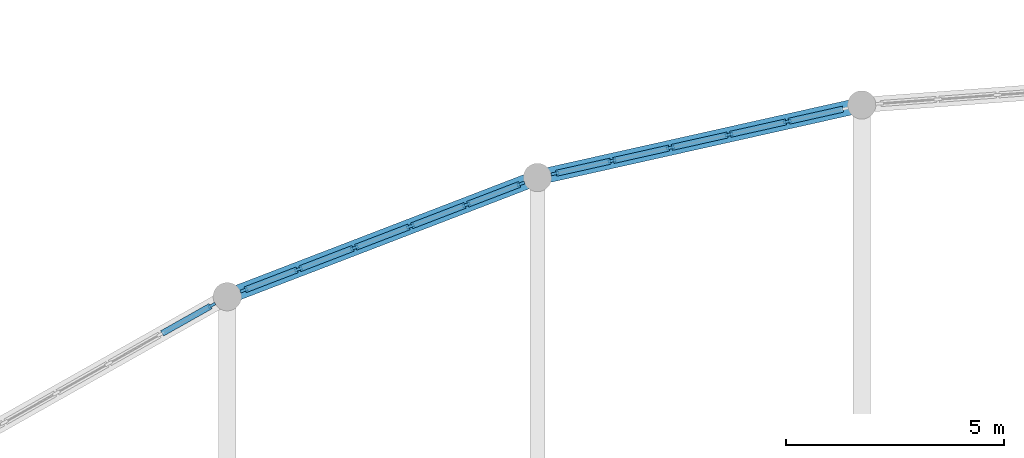
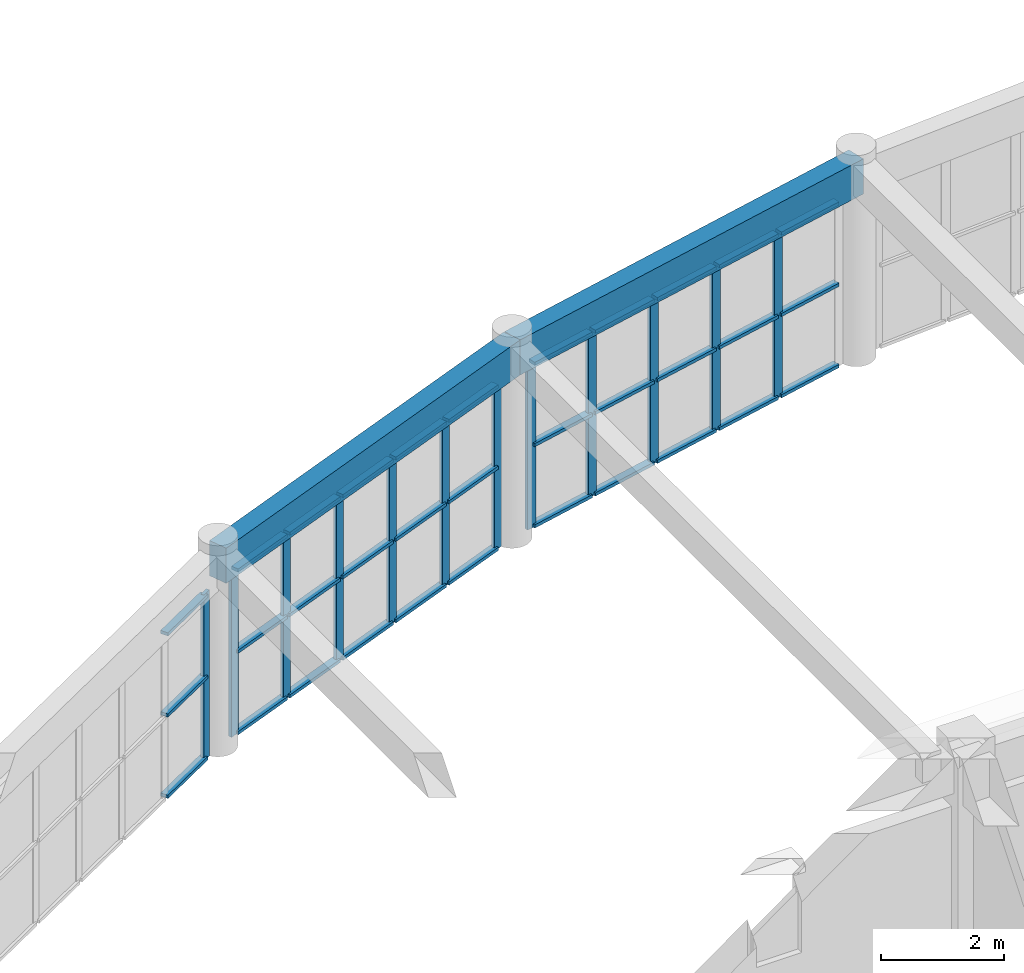
# One storey, part 18 of 76: 45 members, 2 beams, 3 elements without a shape of their own.
"""IFC4 building model written with IfcOpenShell, lengths in metres."""

from ifc_helpers import new_model, si_unit, direction, frame, origin, origin_2d, place, context, subcontext, project, spatial, rectangle, extrude, material, material_profile, profile_set, type_object, element, aggregate, save


model = new_model("IFC4")

# Units and contexts
model_context = context("Model", 3, precision=1e-05, world=origin(), true_north=direction((0.0, 1.0)))
body_context = subcontext(model_context, "Body", "Model", "MODEL_VIEW")
ifc_project = project(units=[si_unit("LENGTHUNIT", "METRE"), si_unit("AREAUNIT", "SQUARE_METRE"), si_unit("VOLUMEUNIT", "CUBIC_METRE"), si_unit("PLANEANGLEUNIT", "RADIAN"), si_unit("MASSUNIT", "GRAM", prefix="KILO")], contexts=[model_context])

# Site, building, storey
site_placement = place(None, origin())
site = spatial("IfcSite", under=ifc_project, at=site_placement, CompositionType="ELEMENT")
building_placement = place(site_placement, origin())
building = spatial("IfcBuilding", under=site, at=building_placement, Name="Mithqara Police Headquarters", CompositionType="ELEMENT")
storey_placement = place(building_placement, frame((0.0, 0.0, 5.39990234375)))
storey = spatial("IfcBuildingStorey", under=building, at=storey_placement, Name="L01", CompositionType="ELEMENT", Elevation=5.39990234375)

# Curtain wall, member
ifc_material_1 = material(Name="Bronze anodised aluminium 6063-T6", Category="aluminium")
curtain_wall_type = type_object("IfcCurtainWallType", Name="CURTAIN WALL 6875X3300", PredefinedType="USERDEFINED", material=ifc_material_1)
curtain_wall_1_placement = place(storey_placement, origin())
curtain_wall_1 = element("IfcCurtainWall", 1, at=curtain_wall_1_placement, inside=storey, type_object=curtain_wall_type, Name="L01 Unitised Glazing CW-12 (CW-ARC-L01-00-0)", ObjectType="UNITISED GLAZING", PredefinedType="USERDEFINED")
ifc_material_profile_1 = material_profile(ifc_material_1, rectangle(XDim=0.06494140625, YDim=0.179931640625, at=origin_2d()), Name="CWM 65x180")
ifc_profile_set_1 = profile_set([ifc_material_profile_1], Name="Bronze anodised aluminium 6063-T6")
member_type_1 = type_object("IfcMemberType", Name="CWMULLION 65X180", PredefinedType="MULLION", material=ifc_profile_set_1)
member_1_placement = place(storey_placement, frame((50.085693359375, 96.545654296875, 0.0), z_axis=(0.0, 0.0, 1.0), x_axis=(-0.491307888255, 0.870985969427, 0.0)))
member_1 = element("IfcMember", 2, at=member_1_placement, type_object=member_type_1, Name="CW-12 mullion 6", PredefinedType="MULLION", context=body_context, shape_type="SweptSolid", body=[
    extrude(rectangle(XDim=0.06494140625, YDim=0.179931640625, at=origin_2d()), origin(), (0.0, 0.0, 1.0), 3.300048828125),
])

# Curtain wall, members
curtain_wall_2_placement = place(storey_placement, origin())
curtain_wall_2 = element("IfcCurtainWall", 3, at=curtain_wall_2_placement, inside=storey, type_object=curtain_wall_type, Name="L01 Unitised Glazing CW-12 (CW-ARC-L01-01-0)", ObjectType="UNITISED GLAZING", PredefinedType="USERDEFINED")
member_2_placement = place(storey_placement, frame((50.8203125, 96.891845703125, 0.0), z_axis=(0.0, 0.0, 1.0), x_axis=(-0.358680788402, 0.933460278765, 0.0)))
member_2 = element("IfcMember", 4, at=member_2_placement, type_object=member_type_1, Name="CW-12 mullion 1", PredefinedType="MULLION", context=body_context, shape_type="SweptSolid", body=[
    extrude(rectangle(XDim=0.06494140625, YDim=0.179931640625, at=origin_2d()), origin(), (0.0, 0.0, 1.0), 3.300048828125),
])
member_3_placement = place(storey_placement, frame((52.0732421875, 97.373291015625, 0.0), z_axis=(0.0, 0.0, 1.0), x_axis=(-0.358680788402, 0.933460278765, 0.0)))
member_3 = element("IfcMember", 5, at=member_3_placement, type_object=member_type_1, Name="CW-12 mullion 2", PredefinedType="MULLION", context=body_context, shape_type="SweptSolid", body=[
    extrude(rectangle(XDim=0.06494140625, YDim=0.179931640625, at=origin_2d()), origin(), (0.0, 0.0, 1.0), 3.300048828125),
])
member_4_placement = place(storey_placement, frame((53.356689453125, 97.866455078125, 0.0), z_axis=(0.0, 0.0, 1.0), x_axis=(-0.358680788402, 0.933460278765, 0.0)))
member_4 = element("IfcMember", 6, at=member_4_placement, type_object=member_type_1, Name="CW-12 mullion 3", PredefinedType="MULLION", context=body_context, shape_type="SweptSolid", body=[
    extrude(rectangle(XDim=0.06494140625, YDim=0.179931640625, at=origin_2d()), origin(), (0.0, 0.0, 1.0), 3.300048828125),
])
member_5_placement = place(storey_placement, frame((54.64013671875, 98.359619140625, 0.0), z_axis=(0.0, 0.0, 1.0), x_axis=(-0.358680788402, 0.933460278765, 0.0)))
member_5 = element("IfcMember", 7, at=member_5_placement, type_object=member_type_1, Name="CW-12 mullion 4", PredefinedType="MULLION", context=body_context, shape_type="SweptSolid", body=[
    extrude(rectangle(XDim=0.06494140625, YDim=0.179931640625, at=origin_2d()), origin(), (0.0, 0.0, 1.0), 3.300048828125),
])
member_6_placement = place(storey_placement, frame((55.923583984375, 98.852783203125, 0.0), z_axis=(0.0, 0.0, 1.0), x_axis=(-0.358680788402, 0.933460278765, 0.0)))
member_6 = element("IfcMember", 8, at=member_6_placement, type_object=member_type_1, Name="CW-12 mullion 5", PredefinedType="MULLION", context=body_context, shape_type="SweptSolid", body=[
    extrude(rectangle(XDim=0.06494140625, YDim=0.179931640625, at=origin_2d()), origin(), (0.0, 0.0, 1.0), 3.300048828125),
])
member_7_placement = place(storey_placement, frame((57.1767578125, 99.334228515625, 0.0), z_axis=(0.0, 0.0, 1.0), x_axis=(-0.358680788402, 0.933460278765, 0.0)))
member_7 = element("IfcMember", 9, at=member_7_placement, type_object=member_type_1, Name="CW-12 mullion 6", PredefinedType="MULLION", context=body_context, shape_type="SweptSolid", body=[
    extrude(rectangle(XDim=0.06494140625, YDim=0.179931640625, at=origin_2d()), origin(), (0.0, 0.0, 1.0), 3.300048828125),
])

curtain_wall_3_placement = place(storey_placement, origin())
curtain_wall_3 = element("IfcCurtainWall", 10, at=curtain_wall_3_placement, inside=storey, type_object=curtain_wall_type, Name="L01 Unitised Glazing CW-12 (CW-ARC-L01-02-0)", ObjectType="UNITISED GLAZING", PredefinedType="USERDEFINED")
member_8_placement = place(storey_placement, frame((57.9541015625, 99.569091796875, 0.0), z_axis=(0.0, 0.0, 1.0), x_axis=(-0.218341058316, 0.975872523567, 0.0)))
member_8 = element("IfcMember", 11, at=member_8_placement, type_object=member_type_1, Name="CW-12 mullion 1", PredefinedType="MULLION", context=body_context, shape_type="SweptSolid", body=[
    extrude(rectangle(XDim=0.06494140625, YDim=0.179931640625, at=origin_2d()), origin(), (0.0, 0.0, 1.0), 3.300048828125),
])
member_9_placement = place(storey_placement, frame((59.26416015625, 99.8623046875, 0.0), z_axis=(0.0, 0.0, 1.0), x_axis=(-0.218341058316, 0.975872523567, 0.0)))
member_9 = element("IfcMember", 12, at=member_9_placement, type_object=member_type_1, Name="CW-12 mullion 2", PredefinedType="MULLION", context=body_context, shape_type="SweptSolid", body=[
    extrude(rectangle(XDim=0.06494140625, YDim=0.179931640625, at=origin_2d()), origin(), (0.0, 0.0, 1.0), 3.300048828125),
])
member_10_placement = place(storey_placement, frame((60.60595703125, 100.16259765625, 0.0), z_axis=(0.0, 0.0, 1.0), x_axis=(-0.218341058316, 0.975872523567, 0.0)))
member_10 = element("IfcMember", 13, at=member_10_placement, type_object=member_type_1, Name="CW-12 mullion 3", PredefinedType="MULLION", context=body_context, shape_type="SweptSolid", body=[
    extrude(rectangle(XDim=0.06494140625, YDim=0.179931640625, at=origin_2d()), origin(), (0.0, 0.0, 1.0), 3.300048828125),
])
member_11_placement = place(storey_placement, frame((61.947509765625, 100.462646484375, 0.0), z_axis=(0.0, 0.0, 1.0), x_axis=(-0.218341058316, 0.975872523567, 0.0)))
member_11 = element("IfcMember", 14, at=member_11_placement, type_object=member_type_1, Name="CW-12 mullion 4", PredefinedType="MULLION", context=body_context, shape_type="SweptSolid", body=[
    extrude(rectangle(XDim=0.06494140625, YDim=0.179931640625, at=origin_2d()), origin(), (0.0, 0.0, 1.0), 3.300048828125),
])
member_12_placement = place(storey_placement, frame((63.289306640625, 100.762939453125, 0.0), z_axis=(0.0, 0.0, 1.0), x_axis=(-0.218341058316, 0.975872523567, 0.0)))
member_12 = element("IfcMember", 15, at=member_12_placement, type_object=member_type_1, Name="CW-12 mullion 5", PredefinedType="MULLION", context=body_context, shape_type="SweptSolid", body=[
    extrude(rectangle(XDim=0.06494140625, YDim=0.179931640625, at=origin_2d()), origin(), (0.0, 0.0, 1.0), 3.300048828125),
])

# Member
ifc_material_profile_2 = material_profile(ifc_material_1, rectangle(XDim=0.139892578125, YDim=0.06494140625, at=origin_2d()), Name="CWT 140x65")
ifc_profile_set_2 = profile_set([ifc_material_profile_2], Name="Bronze anodised aluminium 6063-T6")
member_type_2 = type_object("IfcMemberType", Name="CWTRANSOM 140X65", PredefinedType="USERDEFINED", material=ifc_profile_set_2)
member_13_placement = place(storey_placement, frame((48.944580078125, 95.902099609375, 0.03271484375), z_axis=(0.870993144674, 0.491295167827, 0.0), x_axis=(-0.491295167827, 0.870993144674, 0.0)))
member_13 = element("IfcMember", 16, at=member_13_placement, type_object=member_type_2, Name="CW-12 transom 5.1", ObjectType="TRANSOM", PredefinedType="USERDEFINED", context=body_context, shape_type="SweptSolid", body=[
    extrude(rectangle(XDim=0.139892578125, YDim=0.06494140625, at=origin_2d()), origin(), (0.0, 0.0, 1.0), 1.277587890625),
])

member_14_placement = place(storey_placement, frame((48.944580078125, 95.902099609375, 1.650146484375), z_axis=(0.870993144674, 0.491295167827, 0.0), x_axis=(-0.491295167827, 0.870993144674, 0.0)))
member_14 = element("IfcMember", 17, at=member_14_placement, type_object=member_type_2, Name="CW-12 transom 5.2", ObjectType="TRANSOM", PredefinedType="USERDEFINED", context=body_context, shape_type="SweptSolid", body=[
    extrude(rectangle(XDim=0.139892578125, YDim=0.06494140625, at=origin_2d()), origin(), (0.0, 0.0, 1.0), 1.277587890625),
])

member_15_placement = place(storey_placement, frame((48.944580078125, 95.902099609375, 3.267578125), z_axis=(0.870993144674, 0.491295167827, 0.0), x_axis=(-0.491295167827, 0.870993144674, 0.0)))
member_15 = element("IfcMember", 18, at=member_15_placement, type_object=member_type_2, Name="CW-12 transom 5.3", ObjectType="TRANSOM", PredefinedType="USERDEFINED", context=body_context, shape_type="SweptSolid", body=[
    extrude(rectangle(XDim=0.139892578125, YDim=0.06494140625, at=origin_2d()), origin(), (0.0, 0.0, 1.0), 1.277587890625),
])

aggregate(curtain_wall_1, [member_1, member_13, member_14, member_15])

member_16_placement = place(storey_placement, frame((50.8505859375, 96.9033203125, 0.03271484375), z_axis=(0.933439165084, 0.358735731544, 0.0), x_axis=(-0.358735731544, 0.933439165084, 0.0)))
member_16 = element("IfcMember", 19, at=member_16_placement, type_object=member_type_2, Name="CW-12 transom 1.1", ObjectType="TRANSOM", PredefinedType="USERDEFINED", context=body_context, shape_type="SweptSolid", body=[
    extrude(rectangle(XDim=0.139892578125, YDim=0.06494140625, at=origin_2d()), origin(), (0.0, 0.0, 1.0), 1.27734375),
])

member_17_placement = place(storey_placement, frame((50.8505859375, 96.9033203125, 1.650146484375), z_axis=(0.933439165084, 0.358735731544, 0.0), x_axis=(-0.358735731544, 0.933439165084, 0.0)))
member_17 = element("IfcMember", 20, at=member_17_placement, type_object=member_type_2, Name="CW-12 transom 1.2", ObjectType="TRANSOM", PredefinedType="USERDEFINED", context=body_context, shape_type="SweptSolid", body=[
    extrude(rectangle(XDim=0.139892578125, YDim=0.06494140625, at=origin_2d()), origin(), (0.0, 0.0, 1.0), 1.27734375),
])

member_18_placement = place(storey_placement, frame((50.8505859375, 96.9033203125, 3.267578125), z_axis=(0.933439165084, 0.358735731544, 0.0), x_axis=(-0.358735731544, 0.933439165084, 0.0)))
member_18 = element("IfcMember", 21, at=member_18_placement, type_object=member_type_2, Name="CW-12 transom 1.3", ObjectType="TRANSOM", PredefinedType="USERDEFINED", context=body_context, shape_type="SweptSolid", body=[
    extrude(rectangle(XDim=0.139892578125, YDim=0.06494140625, at=origin_2d()), origin(), (0.0, 0.0, 1.0), 1.27734375),
])

member_19_placement = place(storey_placement, frame((52.103759765625, 97.385009765625, 0.03271484375), z_axis=(0.933480054536, 0.358629318076, 0.0), x_axis=(-0.358629318076, 0.933480054536, 0.0)))
member_19 = element("IfcMember", 22, at=member_19_placement, type_object=member_type_2, Name="CW-12 transom 2.1", ObjectType="TRANSOM", PredefinedType="USERDEFINED", context=body_context, shape_type="SweptSolid", body=[
    extrude(rectangle(XDim=0.139892578125, YDim=0.06494140625, at=origin_2d()), origin(), (0.0, 0.0, 1.0), 1.309814453125),
])

member_20_placement = place(storey_placement, frame((52.103759765625, 97.385009765625, 1.650146484375), z_axis=(0.933480054536, 0.358629318076, 0.0), x_axis=(-0.358629318076, 0.933480054536, 0.0)))
member_20 = element("IfcMember", 23, at=member_20_placement, type_object=member_type_2, Name="CW-12 transom 2.2", ObjectType="TRANSOM", PredefinedType="USERDEFINED", context=body_context, shape_type="SweptSolid", body=[
    extrude(rectangle(XDim=0.139892578125, YDim=0.06494140625, at=origin_2d()), origin(), (0.0, 0.0, 1.0), 1.309814453125),
])

member_21_placement = place(storey_placement, frame((52.103759765625, 97.385009765625, 3.267578125), z_axis=(0.933480054536, 0.358629318076, 0.0), x_axis=(-0.358629318076, 0.933480054536, 0.0)))
member_21 = element("IfcMember", 24, at=member_21_placement, type_object=member_type_2, Name="CW-12 transom 2.3", ObjectType="TRANSOM", PredefinedType="USERDEFINED", context=body_context, shape_type="SweptSolid", body=[
    extrude(rectangle(XDim=0.139892578125, YDim=0.06494140625, at=origin_2d()), origin(), (0.0, 0.0, 1.0), 1.309814453125),
])

member_22_placement = place(storey_placement, frame((53.38720703125, 97.878173828125, 0.03271484375), z_axis=(0.933480054536, 0.358629318076, 0.0), x_axis=(-0.358629318076, 0.933480054536, 0.0)))
member_22 = element("IfcMember", 25, at=member_22_placement, type_object=member_type_2, Name="CW-12 transom 3.1", ObjectType="TRANSOM", PredefinedType="USERDEFINED", context=body_context, shape_type="SweptSolid", body=[
    extrude(rectangle(XDim=0.139892578125, YDim=0.06494140625, at=origin_2d()), origin(), (0.0, 0.0, 1.0), 1.309814453125),
])

member_23_placement = place(storey_placement, frame((53.38720703125, 97.878173828125, 1.650146484375), z_axis=(0.933480054536, 0.358629318076, 0.0), x_axis=(-0.358629318076, 0.933480054536, 0.0)))
member_23 = element("IfcMember", 26, at=member_23_placement, type_object=member_type_2, Name="CW-12 transom 3.2", ObjectType="TRANSOM", PredefinedType="USERDEFINED", context=body_context, shape_type="SweptSolid", body=[
    extrude(rectangle(XDim=0.139892578125, YDim=0.06494140625, at=origin_2d()), origin(), (0.0, 0.0, 1.0), 1.309814453125),
])

member_24_placement = place(storey_placement, frame((53.38720703125, 97.878173828125, 3.267578125), z_axis=(0.933480054536, 0.358629318076, 0.0), x_axis=(-0.358629318076, 0.933480054536, 0.0)))
member_24 = element("IfcMember", 27, at=member_24_placement, type_object=member_type_2, Name="CW-12 transom 3.3", ObjectType="TRANSOM", PredefinedType="USERDEFINED", context=body_context, shape_type="SweptSolid", body=[
    extrude(rectangle(XDim=0.139892578125, YDim=0.06494140625, at=origin_2d()), origin(), (0.0, 0.0, 1.0), 1.309814453125),
])

member_25_placement = place(storey_placement, frame((54.670654296875, 98.371337890625, 0.03271484375), z_axis=(0.933480054536, 0.358629318076, 0.0), x_axis=(-0.358629318076, 0.933480054536, 0.0)))
member_25 = element("IfcMember", 28, at=member_25_placement, type_object=member_type_2, Name="CW-12 transom 4.1", ObjectType="TRANSOM", PredefinedType="USERDEFINED", context=body_context, shape_type="SweptSolid", body=[
    extrude(rectangle(XDim=0.139892578125, YDim=0.06494140625, at=origin_2d()), origin(), (0.0, 0.0, 1.0), 1.309814453125),
])

member_26_placement = place(storey_placement, frame((54.670654296875, 98.371337890625, 1.650146484375), z_axis=(0.933480054536, 0.358629318076, 0.0), x_axis=(-0.358629318076, 0.933480054536, 0.0)))
member_26 = element("IfcMember", 29, at=member_26_placement, type_object=member_type_2, Name="CW-12 transom 4.2", ObjectType="TRANSOM", PredefinedType="USERDEFINED", context=body_context, shape_type="SweptSolid", body=[
    extrude(rectangle(XDim=0.139892578125, YDim=0.06494140625, at=origin_2d()), origin(), (0.0, 0.0, 1.0), 1.309814453125),
])

member_27_placement = place(storey_placement, frame((54.670654296875, 98.371337890625, 3.267578125), z_axis=(0.933480054536, 0.358629318076, 0.0), x_axis=(-0.358629318076, 0.933480054536, 0.0)))
member_27 = element("IfcMember", 30, at=member_27_placement, type_object=member_type_2, Name="CW-12 transom 4.3", ObjectType="TRANSOM", PredefinedType="USERDEFINED", context=body_context, shape_type="SweptSolid", body=[
    extrude(rectangle(XDim=0.139892578125, YDim=0.06494140625, at=origin_2d()), origin(), (0.0, 0.0, 1.0), 1.309814453125),
])

member_28_placement = place(storey_placement, frame((55.9541015625, 98.864501953125, 0.03271484375), z_axis=(0.933503153296, 0.358569188285, 0.0), x_axis=(-0.358569188285, 0.933503153296, 0.0)))
member_28 = element("IfcMember", 31, at=member_28_placement, type_object=member_type_2, Name="CW-12 transom 5.1", ObjectType="TRANSOM", PredefinedType="USERDEFINED", context=body_context, shape_type="SweptSolid", body=[
    extrude(rectangle(XDim=0.139892578125, YDim=0.06494140625, at=origin_2d()), origin(), (0.0, 0.0, 1.0), 1.27734375),
])

member_29_placement = place(storey_placement, frame((55.9541015625, 98.864501953125, 1.650146484375), z_axis=(0.933503153296, 0.358569188285, 0.0), x_axis=(-0.358569188285, 0.933503153296, 0.0)))
member_29 = element("IfcMember", 32, at=member_29_placement, type_object=member_type_2, Name="CW-12 transom 5.2", ObjectType="TRANSOM", PredefinedType="USERDEFINED", context=body_context, shape_type="SweptSolid", body=[
    extrude(rectangle(XDim=0.139892578125, YDim=0.06494140625, at=origin_2d()), origin(), (0.0, 0.0, 1.0), 1.27734375),
])

member_30_placement = place(storey_placement, frame((55.9541015625, 98.864501953125, 3.267578125), z_axis=(0.933503153296, 0.358569188285, 0.0), x_axis=(-0.358569188285, 0.933503153296, 0.0)))
member_30 = element("IfcMember", 33, at=member_30_placement, type_object=member_type_2, Name="CW-12 transom 5.3", ObjectType="TRANSOM", PredefinedType="USERDEFINED", context=body_context, shape_type="SweptSolid", body=[
    extrude(rectangle(XDim=0.139892578125, YDim=0.06494140625, at=origin_2d()), origin(), (0.0, 0.0, 1.0), 1.27734375),
])

aggregate(curtain_wall_2, [member_2, member_3, member_4, member_5, member_6, member_7, member_16, member_17, member_18, member_19, member_20, member_21, member_22, member_23, member_24, member_25, member_26, member_27, member_28, member_29, member_30])

member_31_placement = place(storey_placement, frame((57.98583984375, 99.576171875, 0.03271484375), z_axis=(0.975848613284, 0.218447897568, 0.0), x_axis=(-0.218447897568, 0.975848613284, 0.0)))
member_31 = element("IfcMember", 34, at=member_31_placement, type_object=member_type_2, Name="CW-12 transom 1.1", ObjectType="TRANSOM", PredefinedType="USERDEFINED", context=body_context, shape_type="SweptSolid", body=[
    extrude(rectangle(XDim=0.139892578125, YDim=0.06494140625, at=origin_2d()), origin(), (0.0, 0.0, 1.0), 1.27734375),
])

member_32_placement = place(storey_placement, frame((57.98583984375, 99.576171875, 1.650146484375), z_axis=(0.975848613284, 0.218447897568, 0.0), x_axis=(-0.218447897568, 0.975848613284, 0.0)))
member_32 = element("IfcMember", 35, at=member_32_placement, type_object=member_type_2, Name="CW-12 transom 1.2", ObjectType="TRANSOM", PredefinedType="USERDEFINED", context=body_context, shape_type="SweptSolid", body=[
    extrude(rectangle(XDim=0.139892578125, YDim=0.06494140625, at=origin_2d()), origin(), (0.0, 0.0, 1.0), 1.27734375),
])

member_33_placement = place(storey_placement, frame((57.98583984375, 99.576171875, 3.267578125), z_axis=(0.975848613284, 0.218447897568, 0.0), x_axis=(-0.218447897568, 0.975848613284, 0.0)))
member_33 = element("IfcMember", 36, at=member_33_placement, type_object=member_type_2, Name="CW-12 transom 1.3", ObjectType="TRANSOM", PredefinedType="USERDEFINED", context=body_context, shape_type="SweptSolid", body=[
    extrude(rectangle(XDim=0.139892578125, YDim=0.06494140625, at=origin_2d()), origin(), (0.0, 0.0, 1.0), 1.27734375),
])

member_34_placement = place(storey_placement, frame((59.2958984375, 99.869384765625, 0.03271484375), z_axis=(0.975852628103, 0.218429961829, 0.0), x_axis=(-0.218429961829, 0.975852628103, 0.0)))
member_34 = element("IfcMember", 37, at=member_34_placement, type_object=member_type_2, Name="CW-12 transom 2.1", ObjectType="TRANSOM", PredefinedType="USERDEFINED", context=body_context, shape_type="SweptSolid", body=[
    extrude(rectangle(XDim=0.139892578125, YDim=0.06494140625, at=origin_2d()), origin(), (0.0, 0.0, 1.0), 1.31005859375),
])

member_35_placement = place(storey_placement, frame((59.2958984375, 99.869384765625, 1.650146484375), z_axis=(0.975852628103, 0.218429961829, 0.0), x_axis=(-0.218429961829, 0.975852628103, 0.0)))
member_35 = element("IfcMember", 38, at=member_35_placement, type_object=member_type_2, Name="CW-12 transom 2.2", ObjectType="TRANSOM", PredefinedType="USERDEFINED", context=body_context, shape_type="SweptSolid", body=[
    extrude(rectangle(XDim=0.139892578125, YDim=0.06494140625, at=origin_2d()), origin(), (0.0, 0.0, 1.0), 1.31005859375),
])

member_36_placement = place(storey_placement, frame((59.2958984375, 99.869384765625, 3.267578125), z_axis=(0.975852628103, 0.218429961829, 0.0), x_axis=(-0.218429961829, 0.975852628103, 0.0)))
member_36 = element("IfcMember", 39, at=member_36_placement, type_object=member_type_2, Name="CW-12 transom 2.3", ObjectType="TRANSOM", PredefinedType="USERDEFINED", context=body_context, shape_type="SweptSolid", body=[
    extrude(rectangle(XDim=0.139892578125, YDim=0.06494140625, at=origin_2d()), origin(), (0.0, 0.0, 1.0), 1.31005859375),
])

member_37_placement = place(storey_placement, frame((60.6376953125, 100.169677734375, 0.03271484375), z_axis=(0.975892340146, 0.218252469502, 0.0), x_axis=(-0.218252469502, 0.975892340146, 0.0)))
member_37 = element("IfcMember", 40, at=member_37_placement, type_object=member_type_2, Name="CW-12 transom 3.1", ObjectType="TRANSOM", PredefinedType="USERDEFINED", context=body_context, shape_type="SweptSolid", body=[
    extrude(rectangle(XDim=0.139892578125, YDim=0.06494140625, at=origin_2d()), origin(), (0.0, 0.0, 1.0), 1.309814453125),
])

member_38_placement = place(storey_placement, frame((60.6376953125, 100.169677734375, 1.650146484375), z_axis=(0.975892340146, 0.218252469502, 0.0), x_axis=(-0.218252469502, 0.975892340146, 0.0)))
member_38 = element("IfcMember", 41, at=member_38_placement, type_object=member_type_2, Name="CW-12 transom 3.2", ObjectType="TRANSOM", PredefinedType="USERDEFINED", context=body_context, shape_type="SweptSolid", body=[
    extrude(rectangle(XDim=0.139892578125, YDim=0.06494140625, at=origin_2d()), origin(), (0.0, 0.0, 1.0), 1.309814453125),
])

member_39_placement = place(storey_placement, frame((60.6376953125, 100.169677734375, 3.267578125), z_axis=(0.975892340146, 0.218252469502, 0.0), x_axis=(-0.218252469502, 0.975892340146, 0.0)))
member_39 = element("IfcMember", 42, at=member_39_placement, type_object=member_type_2, Name="CW-12 transom 3.3", ObjectType="TRANSOM", PredefinedType="USERDEFINED", context=body_context, shape_type="SweptSolid", body=[
    extrude(rectangle(XDim=0.139892578125, YDim=0.06494140625, at=origin_2d()), origin(), (0.0, 0.0, 1.0), 1.309814453125),
])

member_40_placement = place(storey_placement, frame((61.979248046875, 100.4697265625, 0.03271484375), z_axis=(0.975852628103, 0.218429961829, 0.0), x_axis=(-0.218429961829, 0.975852628103, 0.0)))
member_40 = element("IfcMember", 43, at=member_40_placement, type_object=member_type_2, Name="CW-12 transom 4.1", ObjectType="TRANSOM", PredefinedType="USERDEFINED", context=body_context, shape_type="SweptSolid", body=[
    extrude(rectangle(XDim=0.139892578125, YDim=0.06494140625, at=origin_2d()), origin(), (0.0, 0.0, 1.0), 1.31005859375),
])

member_41_placement = place(storey_placement, frame((61.979248046875, 100.4697265625, 1.650146484375), z_axis=(0.975852628103, 0.218429961829, 0.0), x_axis=(-0.218429961829, 0.975852628103, 0.0)))
member_41 = element("IfcMember", 44, at=member_41_placement, type_object=member_type_2, Name="CW-12 transom 4.2", ObjectType="TRANSOM", PredefinedType="USERDEFINED", context=body_context, shape_type="SweptSolid", body=[
    extrude(rectangle(XDim=0.139892578125, YDim=0.06494140625, at=origin_2d()), origin(), (0.0, 0.0, 1.0), 1.31005859375),
])

member_42_placement = place(storey_placement, frame((61.979248046875, 100.4697265625, 3.267578125), z_axis=(0.975852628103, 0.218429961829, 0.0), x_axis=(-0.218429961829, 0.975852628103, 0.0)))
member_42 = element("IfcMember", 45, at=member_42_placement, type_object=member_type_2, Name="CW-12 transom 4.3", ObjectType="TRANSOM", PredefinedType="USERDEFINED", context=body_context, shape_type="SweptSolid", body=[
    extrude(rectangle(XDim=0.139892578125, YDim=0.06494140625, at=origin_2d()), origin(), (0.0, 0.0, 1.0), 1.31005859375),
])

member_43_placement = place(storey_placement, frame((63.321044921875, 100.77001953125, 0.03271484375), z_axis=(0.975889339037, 0.218265888206, 0.0), x_axis=(-0.218265888206, 0.975889339037, 0.0)))
member_43 = element("IfcMember", 46, at=member_43_placement, type_object=member_type_2, Name="CW-12 transom 5.1", ObjectType="TRANSOM", PredefinedType="USERDEFINED", context=body_context, shape_type="SweptSolid", body=[
    extrude(rectangle(XDim=0.139892578125, YDim=0.06494140625, at=origin_2d()), origin(), (0.0, 0.0, 1.0), 1.27734375),
])

member_44_placement = place(storey_placement, frame((63.321044921875, 100.77001953125, 1.650146484375), z_axis=(0.975889339037, 0.218265888206, 0.0), x_axis=(-0.218265888206, 0.975889339037, 0.0)))
member_44 = element("IfcMember", 47, at=member_44_placement, type_object=member_type_2, Name="CW-12 transom 5.2", ObjectType="TRANSOM", PredefinedType="USERDEFINED", context=body_context, shape_type="SweptSolid", body=[
    extrude(rectangle(XDim=0.139892578125, YDim=0.06494140625, at=origin_2d()), origin(), (0.0, 0.0, 1.0), 1.27734375),
])

member_45_placement = place(storey_placement, frame((63.321044921875, 100.77001953125, 3.267578125), z_axis=(0.975889339037, 0.218265888206, 0.0), x_axis=(-0.218265888206, 0.975889339037, 0.0)))
member_45 = element("IfcMember", 48, at=member_45_placement, type_object=member_type_2, Name="CW-12 transom 5.3", ObjectType="TRANSOM", PredefinedType="USERDEFINED", context=body_context, shape_type="SweptSolid", body=[
    extrude(rectangle(XDim=0.139892578125, YDim=0.06494140625, at=origin_2d()), origin(), (0.0, 0.0, 1.0), 1.27734375),
])

aggregate(curtain_wall_3, [member_8, member_9, member_10, member_11, member_12, member_31, member_32, member_33, member_34, member_35, member_36, member_37, member_38, member_39, member_40, member_41, member_42, member_43, member_44, member_45])

# Beams
ifc_material_2 = material(Name="Concrete C40/50", Category="concrete")
ifc_material_profile_3 = material_profile(ifc_material_2, rectangle(XDim=0.35009765625, YDim=0.699951171875, at=origin_2d()), Name="SPB 350x700")
ifc_profile_set_3 = profile_set([ifc_material_profile_3], Name="Concrete C40/50")
beam_type = type_object("IfcBeamType", Name="SPANDREL 350X700", PredefinedType="SPANDREL", material=ifc_profile_set_3)
beam_1_placement = place(storey_placement, frame((50.440185546875, 96.74560546875, 3.650146484375), z_axis=(0.933458629375, 0.358685080879, 0.0), x_axis=(-0.358685080879, 0.933458629375, 0.0)))
element("IfcBeam", 49, at=beam_1_placement, inside=storey, type_object=beam_type, Name="L01 Swept Arcade Ring Spandrel 2", PredefinedType="SPANDREL", context=body_context, shape_type="SweptSolid", body=[
    extrude(rectangle(XDim=0.35009765625, YDim=0.699951171875, at=origin_2d()), origin(), (0.0, 0.0, 1.0), 7.6240234375),
])
beam_2_placement = place(storey_placement, frame((57.556884765625, 99.480224609375, 3.650146484375), z_axis=(0.975865757025, 0.218371299089, 0.0), x_axis=(-0.218371299089, 0.975865757025, 0.0)))
element("IfcBeam", 50, at=beam_2_placement, inside=storey, type_object=beam_type, Name="L01 Swept Arcade Ring Spandrel 3", PredefinedType="SPANDREL", context=body_context, shape_type="SweptSolid", body=[
    extrude(rectangle(XDim=0.35009765625, YDim=0.699951171875, at=origin_2d()), origin(), (0.0, 0.0, 1.0), 7.623779296875),
])

save(model, "model.ifc")
